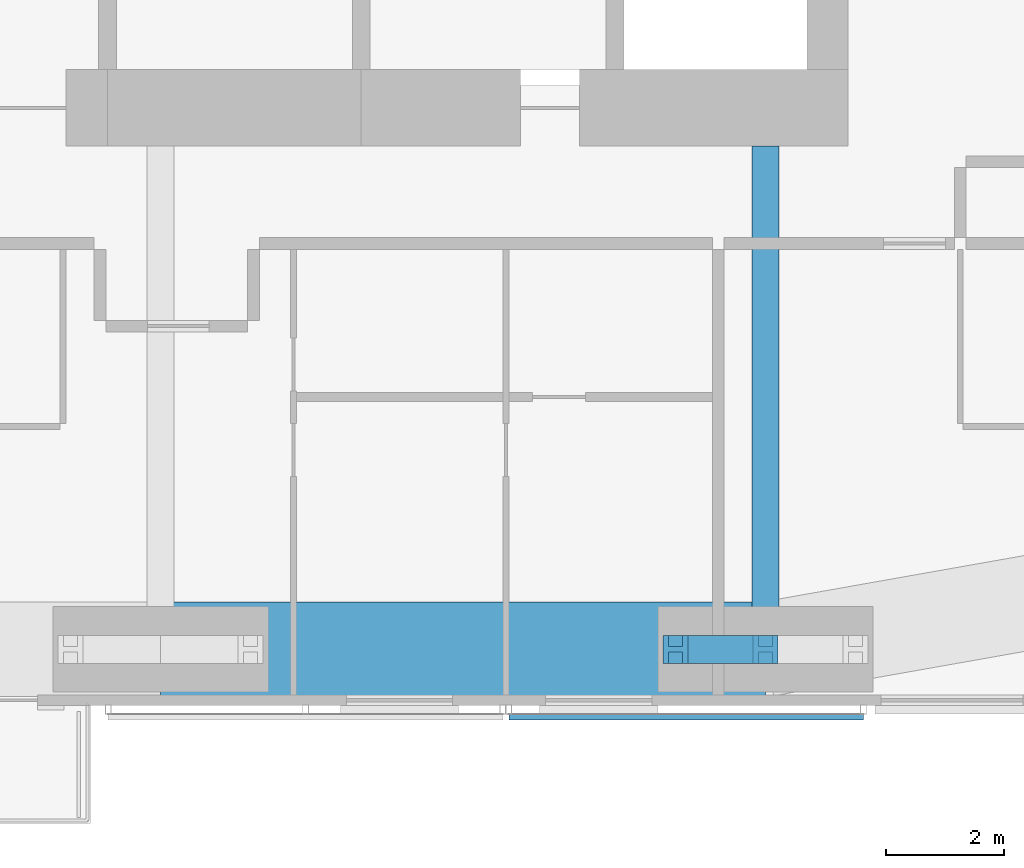
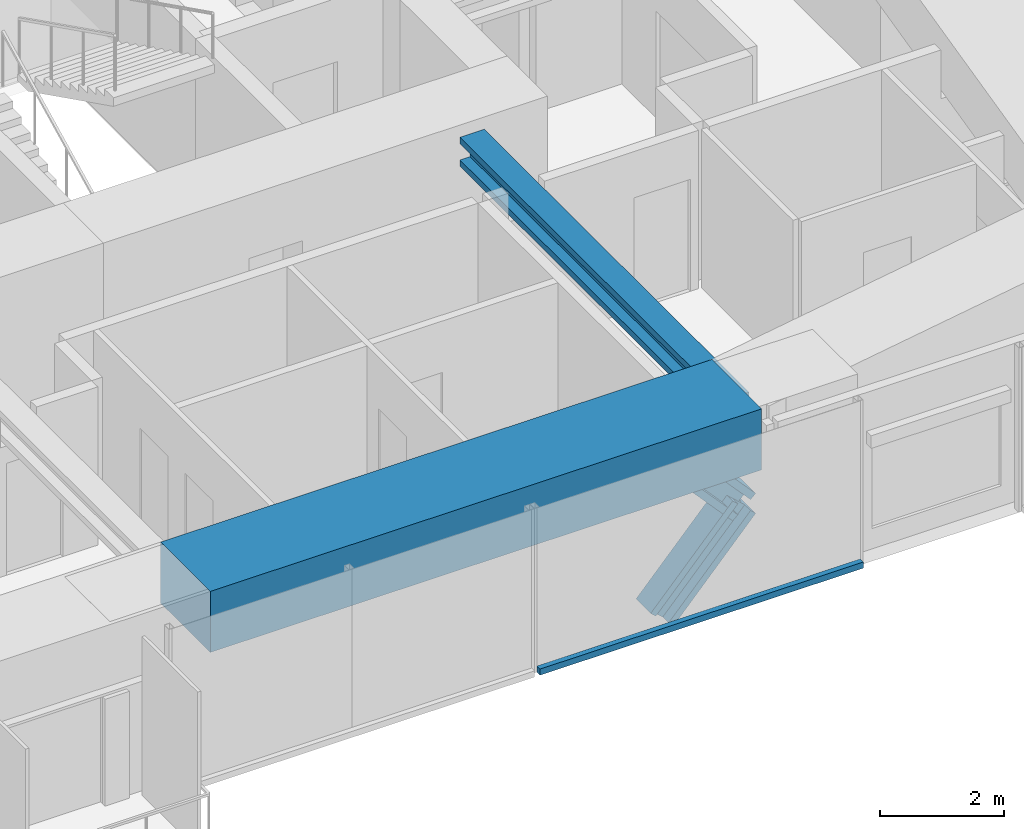
# One storey, part 5 of 23: 3 members, 2 beams, 1 element without a shape of its own.
"""IFC4 building model written with IfcOpenShell, lengths in metres."""

import ifcopenshell
import ifcopenshell.guid

model = None  # the IFC model being written
_history = None  # IfcOwnerHistory: only IFC2X3 demands one
_inside = {}  # id of a spatial element -> (the spatial element, [elements in it])
_under = {}  # id of a project, library or spatial element -> (it, [spatial elements below it])
_declared = {}  # id of a project -> (the project, [libraries it declares])
_typed = {}  # id of a type object -> (the type object, [elements of that type])
_made_of = {}  # id of a material, layer set ... -> (it, [elements and type objects made of it])


def new_model(schema):
    """Start an empty IFC model of exactly this schema.

    Asked for "IFC4X3", IfcOpenShell would pick the latest addendum, in which some entities
    have other attributes; the version numbers below select the first issue.
    IFC2X3 requires an IfcOwnerHistory on every rooted entity: one is made here for all.
    """
    global model, _history
    if schema == "IFC4X3":
        model = ifcopenshell.file(schema_version=(4, 3, 0, 0))
    else:
        model = ifcopenshell.file(schema=schema)
    _inside.clear()
    _under.clear()
    _declared.clear()
    _typed.clear()
    _made_of.clear()
    _history = None
    if model.schema == "IFC2X3":
        org = make("IfcOrganization", Name="unknown")
        user = make(
            "IfcPersonAndOrganization",
            ThePerson=make("IfcPerson", FamilyName="unknown"),
            TheOrganization=org,
        )
        app = make(
            "IfcApplication",
            ApplicationDeveloper=org,
            Version="unknown",
            ApplicationFullName="unknown",
            ApplicationIdentifier="unknown",
        )
        _history = make(
            "IfcOwnerHistory",
            OwningUser=user,
            OwningApplication=app,
            ChangeAction="ADDED",
            CreationDate=0,
        )
    return model


def make(cls, **values):
    """One entity of the class cls with the attributes given. An attribute that is None is left unset."""
    return model.create_entity(
        cls, **{name: value for name, value in values.items() if value is not None}
    )


def rooted(cls, **values):
    """An entity with a GlobalId (a new one), such as an element, a storey or a relation."""
    return make(cls, GlobalId=ifcopenshell.guid.new(), OwnerHistory=_history, **values)


def si_unit(unit_type, name, prefix=None):
    """IfcSIUnit, for example si_unit("LENGTHUNIT", "METRE", prefix="MILLI")."""
    return make("IfcSIUnit", UnitType=unit_type, Prefix=prefix, Name=name)


def assignment(units):
    """IfcUnitAssignment: the units of a project."""
    return None if units is None else make("IfcUnitAssignment", Units=units)


def point(xyz):
    """IfcCartesianPoint."""
    return None if xyz is None else make("IfcCartesianPoint", Coordinates=xyz)


def direction(xyz):
    """IfcDirection."""
    return None if xyz is None else make("IfcDirection", DirectionRatios=xyz)


def frame(location, z_axis=None, x_axis=None):
    """IfcAxis2Placement3D, a coordinate frame: its origin and axes. An axis left out is left unset."""
    return make(
        "IfcAxis2Placement3D",
        Location=point(location),
        Axis=direction(z_axis),
        RefDirection=direction(x_axis),
    )


def frame_2d(location, x_axis=None):
    """IfcAxis2Placement2D, a coordinate frame in the plane: its origin and x axis."""
    return make(
        "IfcAxis2Placement2D", Location=point(location), RefDirection=direction(x_axis)
    )


def origin():
    """The frame at (0, 0, 0) with its axes left unset."""
    return frame((0.0, 0.0, 0.0))


def origin_2d():
    """The frame at (0, 0) in the plane with its x axis left unset."""
    return frame_2d((0.0, 0.0))


def place(relative_to, where):
    """IfcLocalPlacement: puts the frame where relative to a parent placement (None: the world)."""
    return make(
        "IfcLocalPlacement", PlacementRelTo=relative_to, RelativePlacement=where
    )


def context(
    kind, dimensions, precision=None, world=None, true_north=None, identifier=None
):
    """IfcGeometricRepresentationContext, for example the 3D "Model" context."""
    return make(
        "IfcGeometricRepresentationContext",
        ContextIdentifier=identifier,
        ContextType=kind,
        CoordinateSpaceDimension=dimensions,
        Precision=precision,
        WorldCoordinateSystem=world,
        TrueNorth=true_north,
    )


def subcontext(parent, identifier, kind, view, scale=None):
    """IfcGeometricRepresentationSubContext, for example "Body" below "Model"."""
    return make(
        "IfcGeometricRepresentationSubContext",
        ContextIdentifier=identifier,
        ContextType=kind,
        ParentContext=parent,
        TargetScale=scale,
        TargetView=view,
    )


def project(units=None, contexts=None):
    """IfcProject with its units and contexts."""
    return rooted(
        "IfcProject",
        Name="project",
        RepresentationContexts=contexts,
        UnitsInContext=assignment(units),
    )


def spatial(cls, under=None, at=None, **own):
    """A site, building, storey or space (cls), placed at a placement, below another one or the project."""
    s = rooted(cls, ObjectPlacement=at, **own)
    if under is not None:
        _under.setdefault(under.id(), (under, []))[1].append(s)
    return s


def profile(cls, at=None, kind="AREA", **sizes):
    """A parametric profile (cls). Its sizes go by their IFC names, for example OverallWidth=200.0."""
    return make(cls, ProfileType=kind, Position=at, **sizes)


def rectangle(**sizes):
    """IfcRectangleProfileDef."""
    return profile("IfcRectangleProfileDef", **sizes)


def i_section(**sizes):
    """IfcIShapeProfileDef."""
    return profile("IfcIShapeProfileDef", **sizes)


def extrude(swept, where, along, depth):
    """IfcExtrudedAreaSolid: the profile swept, set in the frame where, extruded along a direction by depth."""
    return make(
        "IfcExtrudedAreaSolid",
        SweptArea=swept,
        Position=where,
        ExtrudedDirection=direction(along),
        Depth=depth,
    )


def shape(context_of_items, identifier, shape_type, items):
    """IfcShapeRepresentation: the items that make up one representation, for example the "Body"."""
    return make(
        "IfcShapeRepresentation",
        ContextOfItems=context_of_items,
        RepresentationIdentifier=identifier,
        RepresentationType=shape_type,
        Items=items,
    )


def material(Name=None, Category=None):
    """IfcMaterial."""
    return make("IfcMaterial", Name=Name, Category=Category)


def material_profile(
    of_material, cross_section, Name=None, Category=None, Priority=None
):
    """IfcMaterialProfile: a cross section and its material."""
    return make(
        "IfcMaterialProfile",
        Name=Name,
        Material=of_material,
        Profile=cross_section,
        Priority=Priority,
        Category=Category,
    )


def profile_set(profiles, Name=None, composite=None):
    """IfcMaterialProfileSet."""
    return make(
        "IfcMaterialProfileSet",
        Name=Name,
        MaterialProfiles=profiles,
        CompositeProfile=composite,
    )


def made_of(thing, what):
    """Note that an element or type object is made of a material, layer set ...; save() writes the relation."""
    if what is not None:
        _made_of.setdefault(what.id(), (what, []))[1].append(thing)
    return thing


def type_object(cls, material=None, **own):
    """A type object (cls), such as IfcWallType, which elements share."""
    return made_of(rooted(cls, **own), material)


def element(
    cls,
    number,
    at=None,
    inside=None,
    cuts=None,
    type_object=None,
    material=None,
    context=None,
    identifier="Body",
    shape_type=None,
    held_by="IfcProductDefinitionShape",
    body=None,
    shapes=None,
    **own,
):
    """One element of the class cls, such as IfcWall. Its Tag is "e" and its number.

    at: its placement. inside: the storey or other place that contains it. cuts: it is an
    opening in that element (IfcRelVoidsElement). A single representation is given by context,
    identifier, shape_type and body (its items); several are given by shapes. held_by: the class
    of the entity that holds the representations. save() writes the other relations.
    """
    e = rooted(cls, Tag="e%d" % number, ObjectPlacement=at, **own)
    if body is not None:
        shapes = [shape(context, identifier, shape_type, body)]
    if shapes is not None:
        e.Representation = make(held_by, Representations=shapes)
    if inside is not None:
        _inside.setdefault(inside.id(), (inside, []))[1].append(e)
    if cuts is not None:
        rooted(
            "IfcRelVoidsElement", RelatingBuildingElement=cuts, RelatedOpeningElement=e
        )
    if type_object is not None:
        _typed.setdefault(type_object.id(), (type_object, []))[1].append(e)
    return made_of(e, material)


def aggregate(whole, parts):
    """IfcRelAggregates: a whole, such as a stair, and the parts it consists of."""
    return rooted("IfcRelAggregates", RelatingObject=whole, RelatedObjects=parts)


def save(model, path):
    """Write the relations noted so far, then the file.

    IfcRelAggregates (storeys below a building ...), IfcRelContainedInSpatialStructure (elements
    in a storey), IfcRelDefinesByType, IfcRelAssociatesMaterial and IfcRelDeclares: one each for
    every whole, place, type object, material and project.
    """
    for whole, parts in _under.values():
        aggregate(whole, parts)
    for where, things in _inside.values():
        rooted(
            "IfcRelContainedInSpatialStructure",
            RelatedElements=things,
            RelatingStructure=where,
        )
    for kind, things in _typed.values():
        rooted("IfcRelDefinesByType", RelatedObjects=things, RelatingType=kind)
    for what, things in _made_of.values():
        rooted("IfcRelAssociatesMaterial", RelatedObjects=things, RelatingMaterial=what)
    for by, libraries in _declared.values():
        rooted("IfcRelDeclares", RelatingContext=by, RelatedDefinitions=libraries)
    model.write(path)


model = new_model("IFC4")

# Units and contexts
model_context = context("Model", 3, precision=1e-05, world=origin(), true_north=direction((0.0, 1.0)))
body_context = subcontext(model_context, "Body", "Model", "MODEL_VIEW")
ifc_project = project(units=[si_unit("LENGTHUNIT", "METRE"), si_unit("AREAUNIT", "SQUARE_METRE"), si_unit("VOLUMEUNIT", "CUBIC_METRE"), si_unit("PLANEANGLEUNIT", "RADIAN"), si_unit("MASSUNIT", "GRAM", prefix="KILO")], contexts=[model_context])

# Site, building, storey
site_placement = place(None, origin())
site = spatial("IfcSite", under=ifc_project, at=site_placement, CompositionType="ELEMENT")
building_placement = place(site_placement, origin())
building = spatial("IfcBuilding", under=site, at=building_placement, Name="Jalousie Tower", CompositionType="ELEMENT")
storey_placement = place(building_placement, frame((0.0, 0.0, 181.14990234375)))
storey = spatial("IfcBuildingStorey", under=building, at=storey_placement, Name="L49", CompositionType="ELEMENT", Elevation=181.14990234375)

# Beam
ifc_material_1 = material(Name="Steel ASTM A992 Grade 50", Category="steel")
ifc_material_profile_1 = material_profile(ifc_material_1, i_section(OverallWidth=0.45458984375, OverallDepth=0.569091796875, WebThickness=0.077880859375, FlangeThickness=0.124755859375, at=origin_2d()), Name="W14X730")
ifc_profile_set_1 = profile_set([ifc_material_profile_1], Name="Steel ASTM A992 Grade 50")
beam_type_1 = type_object("IfcBeamType", Name="LEAN COLLECTOR W14X730", PredefinedType="BEAM", material=ifc_profile_set_1)
beam_1_placement = place(storey_placement, frame((42.75, 0.949951171875, 2.82568359375), z_axis=(0.0, 1.0, 0.0), x_axis=(-1.0, 0.0, 0.0)))
element("IfcBeam", 1, at=beam_1_placement, inside=storey, type_object=beam_type_1, Name="Lean collector under L50", PredefinedType="BEAM", context=body_context, shape_type="SweptSolid", body=[
    extrude(i_section(OverallWidth=0.45458984375, OverallDepth=0.569091796875, WebThickness=0.077880859375, FlangeThickness=0.124755859375, at=origin_2d()), origin(), (0.0, 0.0, 1.0), 8.525146484375),
])

# Members
ifc_material_2 = material(Name="Steel ASTM A992 Grade 50", Category="steel")
ifc_material_profile_2 = material_profile(ifc_material_2, i_section(OverallWidth=0.472412109375, OverallDepth=0.5791015625, WebThickness=0.094970703125, FlangeThickness=0.1298828125, at=origin_2d()), Name="W14X808")
ifc_profile_set_2 = profile_set([ifc_material_profile_2], Name="Steel ASTM A992 Grade 50")
member_type_1 = type_object("IfcMemberType", Name="PERIMETER BRACE W14X808", PredefinedType="BRACE", material=ifc_profile_set_2)
for number, where, z_axis, x_axis, name in (
    (2, (41.22509765625, 0.949951171875, -0.599853515625), (0.673187629365, 0.0, 0.739471713908), (0.0, 1.0, 0.0), "Perimeter brace 04 L49 part 1"),
    (3, (42.75, 0.949951171875, 1.0751953125), (-0.673241284601, 0.0, 0.739422864611), (0.0, -1.0, 0.0), "Perimeter brace 04 L49 part 4"),
):
    element("IfcMember", number, at=place(storey_placement, frame(where, z_axis=z_axis, x_axis=x_axis)), inside=storey, type_object=member_type_1, Name=name, PredefinedType="BRACE", context=body_context, shape_type="SweptSolid", body=[
        extrude(i_section(OverallWidth=0.472412109375, OverallDepth=0.5791015625, WebThickness=0.094970703125, FlangeThickness=0.1298828125, at=origin_2d()), origin(), (0.0, 0.0, 1.0), 2.26513671875),
    ])

# Beam
ifc_material_3 = material(Name="Concrete f'c 40 MPa", Category="concrete")
ifc_material_profile_3 = material_profile(ifc_material_3, rectangle(XDim=1.60009765625, YDim=1.199951171875, at=origin_2d()), Name="RC 1600x1200")
ifc_profile_set_3 = profile_set([ifc_material_profile_3], Name="Concrete f'c 40 MPa")
beam_type_2 = type_object("IfcBeamType", Name="RC BEAM 1600x1200", PredefinedType="BEAM", material=ifc_profile_set_3)
beam_2_placement = place(storey_placement, frame((32.5, 0.949951171875, 2.75), z_axis=(1.0, 0.0, 0.0), x_axis=(0.0, 1.0, 0.0)))
element("IfcBeam", 4, at=beam_2_placement, inside=storey, type_object=beam_type_2, Name="Edge band beam 03-04 under L50", PredefinedType="BEAM", context=body_context, shape_type="SweptSolid", body=[
    extrude(rectangle(XDim=1.60009765625, YDim=1.199951171875, at=origin_2d()), origin(), (0.0, 0.0, 1.0), 10.25),
])

# Curtain wall, member
ifc_material_4 = material(Name="Perforated aluminium sheet", Category="aluminium")
curtain_wall_type = type_object("IfcCurtainWallType", Name="SOLAR SCREEN SS-1", PredefinedType="USERDEFINED", material=ifc_material_4)
curtain_wall_placement = place(storey_placement, origin())
curtain_wall = element("IfcCurtainWall", 5, at=curtain_wall_placement, inside=storey, type_object=curtain_wall_type, Name="Solar screen L49", ObjectType="SOLAR SCREEN SS-1", PredefinedType="USERDEFINED")
ifc_material_5 = material(Name="Extruded aluminium screen rail", Category="aluminium")
ifc_material_profile_4 = material_profile(ifc_material_5, rectangle(XDim=0.1015625, YDim=0.1201171875, at=origin_2d()), Name="RAIL 102x120")
ifc_profile_set_4 = profile_set([ifc_material_profile_4], Name="Extruded aluminium screen rail")
member_type_2 = type_object("IfcMemberType", Name="SOLAR SCREEN SS-1 TRANSOM", PredefinedType="USERDEFINED", material=ifc_profile_set_4)
member_placement = place(storey_placement, frame((38.39990234375, -0.1982421875, -0.059814453125), z_axis=(1.0, 0.0, 0.0), x_axis=(0.0, 1.0, 0.0)))
member = element("IfcMember", 6, at=member_placement, type_object=member_type_2, Name="SS1 rail", ObjectType="TRANSOM", PredefinedType="USERDEFINED", context=body_context, shape_type="SweptSolid", body=[
    extrude(rectangle(XDim=0.1015625, YDim=0.1201171875, at=origin_2d()), origin(), (0.0, 0.0, 1.0), 6.010009765625),
])
aggregate(curtain_wall, [member])

save(model, "model.ifc")
